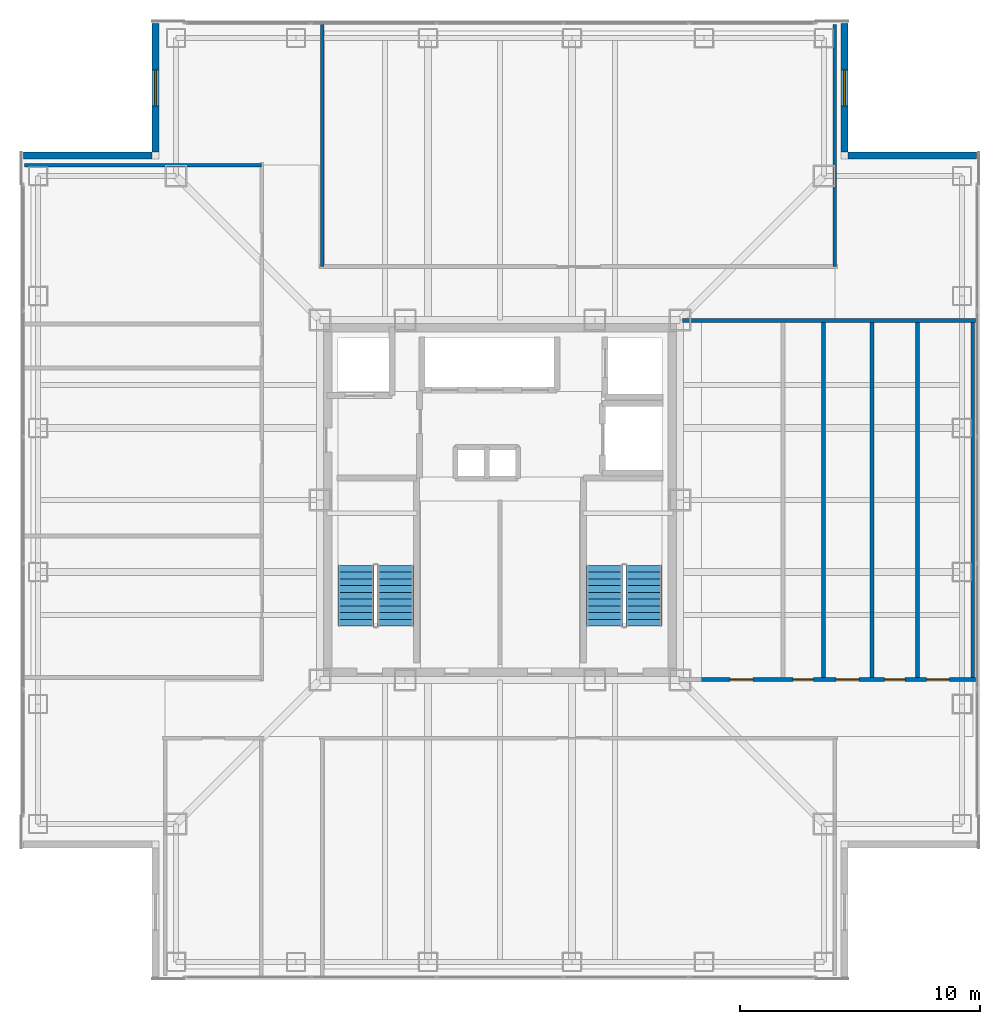
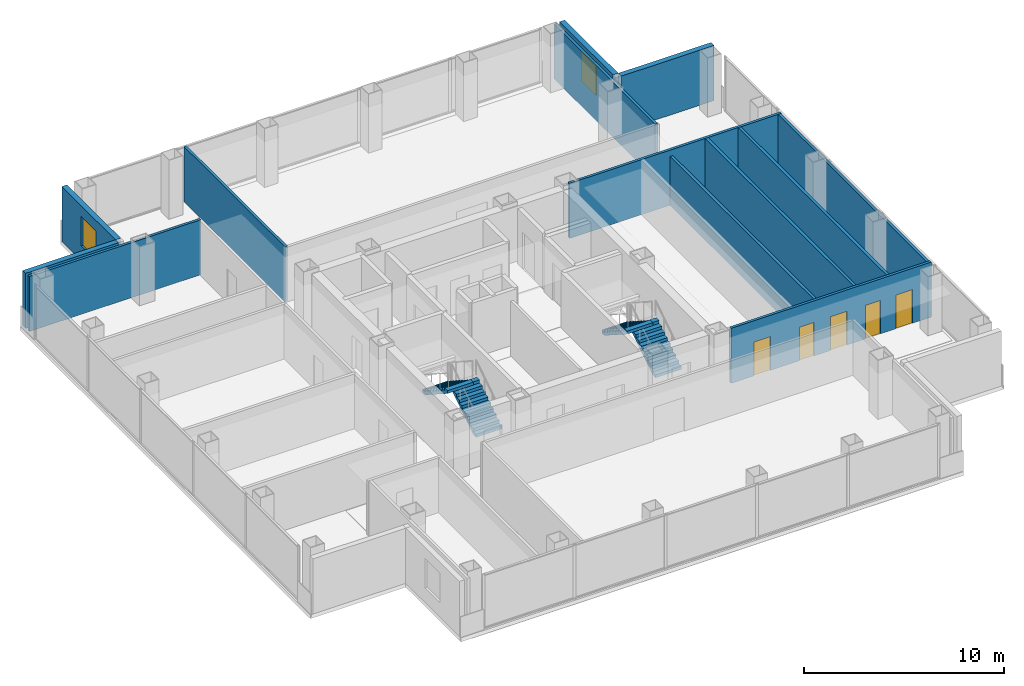
# One storey, part 11 of 17: 13 walls, 5 doors, 4 stair flights, 2 windows, 7 openings, 2 elements without a shape of their own.
"""IFC4 building model written with IfcOpenShell, lengths in metres."""

from ifc_helpers import new_model, si_unit, direction, frame, frame_2d, origin, place, context, subcontext, project, spatial, polyline, rectangle, outline, extrude, material, layer, layer_set, type_object, element, fill, aggregate, save


model = new_model("IFC4")

# Units and contexts
model_context = context("Model", 3, precision=1e-05, world=origin(), true_north=direction((0.0, 1.0)))
body_context = subcontext(model_context, "Body", "Model", "MODEL_VIEW")
ifc_project = project(units=[si_unit("LENGTHUNIT", "METRE"), si_unit("AREAUNIT", "SQUARE_METRE"), si_unit("VOLUMEUNIT", "CUBIC_METRE"), si_unit("PLANEANGLEUNIT", "RADIAN"), si_unit("MASSUNIT", "GRAM", prefix="KILO")], contexts=[model_context])

# Site, building, storey
site_placement = place(None, origin())
site = spatial("IfcSite", under=ifc_project, at=site_placement, CompositionType="ELEMENT")
building_placement = place(site_placement, origin())
building = spatial("IfcBuilding", under=site, at=building_placement, Name="Trevonay Congress Spire", CompositionType="ELEMENT")
storey_placement = place(building_placement, frame((0.0, 0.0, 209.39990234375)))
storey = spatial("IfcBuildingStorey", under=building, at=storey_placement, Name="L54", CompositionType="ELEMENT", Elevation=209.39990234375)

# Wall, openings, doors
ifc_material_1 = material(Name="Concrete C40/50", Category="concrete")
ifc_layer_1 = layer(ifc_material_1, 0.14990234375, Name="Concrete C40/50")
ifc_layer_set_1 = layer_set([ifc_layer_1], Name="Concrete C40/50")
wall_type_1 = type_object("IfcWallType", Name="WAL-CORR-150", PredefinedType="PARTITIONING", material=ifc_layer_set_1)
wall_1_placement = place(storey_placement, frame((8.280029296875, -7.47998046875, 0.0), z_axis=(0.0, 0.0, 1.0), x_axis=(1.0, 0.0, 0.0)))
wall_1 = element("IfcWall", 1, at=wall_1_placement, inside=storey, type_object=wall_type_1, Name="L54 interior wall WP-L54E-COR", PredefinedType="PARTITIONING", context=body_context, shape_type="SweptSolid", body=[
    extrude(rectangle(XDim=11.5400390625, YDim=0.14990234375, at=frame_2d((5.77001953125, 0.0))), origin(), (0.0, 0.0, 1.0), 3.360107421875),
])
opening_1_placement = place(wall_1_placement, frame((1.304931640625, 0.0, 0.0)))
opening_1 = element("IfcOpeningElement", 2, at=opening_1_placement, cuts=wall_1, Name="Opening D07", PredefinedType="OPENING", context=body_context, shape_type="SweptSolid", body=[
    extrude(rectangle(XDim=0.949951171875, YDim=2.06005859375, at=frame_2d((0.47509765625, 1.030029296875))), frame((0.0, 0.0849609375, 0.0), z_axis=(0.0, -1.0, 0.0), x_axis=(1.0, 0.0, 0.0)), (0.0, 0.0, 1.0), 0.169921875),
])
opening_2_placement = place(wall_1_placement, frame((3.929931640625, 0.0, 0.0)))
opening_2 = element("IfcOpeningElement", 3, at=opening_2_placement, cuts=wall_1, Name="Opening D10", PredefinedType="OPENING", context=body_context, shape_type="SweptSolid", body=[
    extrude(rectangle(XDim=0.85009765625, YDim=2.050048828125, at=frame_2d((0.425048828125, 1.02490234375))), frame((0.0, 0.0849609375, 0.0), z_axis=(0.0, -1.0, 0.0), x_axis=(1.0, 0.0, 0.0)), (0.0, 0.0, 1.0), 0.169921875),
])
opening_3_placement = place(wall_1_placement, frame((5.72998046875, 0.0, 0.0)))
opening_3 = element("IfcOpeningElement", 4, at=opening_3_placement, cuts=wall_1, Name="Opening D07", PredefinedType="OPENING", context=body_context, shape_type="SweptSolid", body=[
    extrude(rectangle(XDim=0.949951171875, YDim=2.06005859375, at=frame_2d((0.47509765625, 1.030029296875))), frame((0.0, 0.0849609375, 0.0), z_axis=(0.0, -1.0, 0.0), x_axis=(1.0, 0.0, 0.0)), (0.0, 0.0, 1.0), 0.169921875),
])
opening_4_placement = place(wall_1_placement, frame((7.7451171875, 0.0, 0.0)))
opening_4 = element("IfcOpeningElement", 5, at=opening_4_placement, cuts=wall_1, Name="Opening D10", PredefinedType="OPENING", context=body_context, shape_type="SweptSolid", body=[
    extrude(rectangle(XDim=0.85009765625, YDim=2.050048828125, at=frame_2d((0.425048828125, 1.02490234375))), frame((0.0, 0.0849609375, 0.0), z_axis=(0.0, -1.0, 0.0), x_axis=(1.0, 0.0, 0.0)), (0.0, 0.0, 1.0), 0.169921875),
])
opening_5_placement = place(wall_1_placement, frame((9.4951171875, 0.0, 0.0)))
opening_5 = element("IfcOpeningElement", 6, at=opening_5_placement, cuts=wall_1, Name="Opening D07", PredefinedType="OPENING", context=body_context, shape_type="SweptSolid", body=[
    extrude(rectangle(XDim=0.949951171875, YDim=2.06005859375, at=frame_2d((0.47509765625, 1.030029296875))), frame((0.0, 0.0849609375, 0.0), z_axis=(0.0, -1.0, 0.0), x_axis=(1.0, 0.0, 0.0)), (0.0, 0.0, 1.0), 0.169921875),
])
ifc_material_2 = material(Name="Pale Anodised Aluminium EN AW-6063-T6", Category="aluminium")
door_type_1 = type_object("IfcDoorType", Name="DOR-OFFICE-95", OperationType="NOTDEFINED", PredefinedType="DOOR", material=ifc_material_2)
door_1_placement = place(opening_1_placement, origin())
door_1 = element("IfcDoor", 7, at=door_1_placement, inside=storey, type_object=door_type_1, Name="L54 Juice Bar Kitchenette Door", OperationType="SINGLE_SWING_LEFT", OverallHeight=2.06005859375, OverallWidth=0.949951171875, PredefinedType="DOOR", context=body_context, shape_type="SweptSolid", body=[
    extrude(rectangle(XDim=0.949951171875, YDim=2.06005859375, at=frame_2d((0.47509765625, 1.030029296875))), frame((0.0, 0.02490234375, 0.0), z_axis=(0.0, -1.0, 0.0), x_axis=(1.0, 0.0, 0.0)), (0.0, 0.0, 1.0), 0.050048828125),
])
fill(opening_1, door_1)
door_2_placement = place(opening_3_placement, origin())
door_2 = element("IfcDoor", 8, at=door_2_placement, inside=storey, type_object=door_type_1, Name="L54 Floor Supplies and Copy Room Door", OperationType="SINGLE_SWING_LEFT", OverallHeight=2.06005859375, OverallWidth=0.949951171875, PredefinedType="DOOR", context=body_context, shape_type="SweptSolid", body=[
    extrude(rectangle(XDim=0.949951171875, YDim=2.06005859375, at=frame_2d((0.47509765625, 1.030029296875))), frame((0.0, 0.02490234375, 0.0), z_axis=(0.0, -1.0, 0.0), x_axis=(1.0, 0.0, 0.0)), (0.0, 0.0, 1.0), 0.050048828125),
])
fill(opening_3, door_2)
door_3_placement = place(opening_5_placement, origin())
door_3 = element("IfcDoor", 9, at=door_3_placement, inside=storey, type_object=door_type_1, Name="L54 Floor Supplies and Copy Room Door", OperationType="SINGLE_SWING_LEFT", OverallHeight=2.06005859375, OverallWidth=0.949951171875, PredefinedType="DOOR", context=body_context, shape_type="SweptSolid", body=[
    extrude(rectangle(XDim=0.949951171875, YDim=2.06005859375, at=frame_2d((0.47509765625, 1.030029296875))), frame((0.0, 0.02490234375, 0.0), z_axis=(0.0, -1.0, 0.0), x_axis=(1.0, 0.0, 0.0)), (0.0, 0.0, 1.0), 0.050048828125),
])
fill(opening_5, door_3)
door_type_2 = type_object("IfcDoorType", Name="DOR-WC-85", OperationType="NOTDEFINED", PredefinedType="DOOR", material=ifc_material_2)
door_4_placement = place(opening_2_placement, origin())
door_4 = element("IfcDoor", 10, at=door_4_placement, inside=storey, type_object=door_type_2, Name="L54 Female Restroom WC Door", OperationType="SINGLE_SWING_RIGHT", OverallHeight=2.050048828125, OverallWidth=0.85009765625, PredefinedType="DOOR", context=body_context, shape_type="SweptSolid", body=[
    extrude(rectangle(XDim=0.85009765625, YDim=2.050048828125, at=frame_2d((0.425048828125, 1.02490234375))), frame((0.0, 0.02490234375, 0.0), z_axis=(0.0, -1.0, 0.0), x_axis=(1.0, 0.0, 0.0)), (0.0, 0.0, 1.0), 0.050048828125),
])
fill(opening_2, door_4)
door_5_placement = place(opening_4_placement, origin())
door_5 = element("IfcDoor", 11, at=door_5_placement, inside=storey, type_object=door_type_2, Name="L54 Male Restroom WC Door", OperationType="SINGLE_SWING_RIGHT", OverallHeight=2.050048828125, OverallWidth=0.85009765625, PredefinedType="DOOR", context=body_context, shape_type="SweptSolid", body=[
    extrude(rectangle(XDim=0.85009765625, YDim=2.050048828125, at=frame_2d((0.425048828125, 1.02490234375))), frame((0.0, 0.02490234375, 0.0), z_axis=(0.0, -1.0, 0.0), x_axis=(1.0, 0.0, 0.0)), (0.0, 0.0, 1.0), 0.050048828125),
])
fill(opening_4, door_5)

# Wall, opening, window
ifc_material_3 = material(Name="Precast concrete C40/50", Category="concrete")
ifc_layer_2 = layer(ifc_material_3, 0.300048828125, Name="Precast concrete C40/50")
ifc_layer_set_2 = layer_set([ifc_layer_2], Name="Precast concrete C40/50")
wall_type_2 = type_object("IfcWallType", Name="WAL-EXT-PRECAST-300", PredefinedType="SOLIDWALL", material=ifc_layer_set_2)
wall_2_placement = place(storey_placement, frame((14.35009765625, 19.85009765625, 0.0), z_axis=(0.0, 0.0, 1.0), x_axis=(0.0, -1.0, 0.0)))
wall_2 = element("IfcWall", 12, at=wall_2_placement, inside=storey, type_object=wall_type_2, Name="L54 NE re-entrant notch exterior wall 1", PredefinedType="SOLIDWALL", context=body_context, shape_type="SweptSolid", body=[
    extrude(rectangle(XDim=5.35009765625, YDim=0.300048828125, at=frame_2d((2.675048828125, 0.0))), origin(), (0.0, 0.0, 1.0), 3.360107421875),
])
opening_6_placement = place(wall_2_placement, frame((1.925048828125, 0.0, 0.89990234375)))
opening_6 = element("IfcOpeningElement", 13, at=opening_6_placement, cuts=wall_2, Name="Opening WN03", PredefinedType="OPENING", context=body_context, shape_type="SweptSolid", body=[
    extrude(rectangle(XDim=1.5, YDim=1.800048828125, at=frame_2d((0.75, 0.89990234375))), frame((0.0, 0.16015625, 0.0), z_axis=(0.0, -1.0, 0.0), x_axis=(1.0, 0.0, 0.0)), (0.0, 0.0, 1.0), 0.320068359375),
])
ifc_material_4 = material(Name="Insulated Low-E Vision Glass IGU", Category="glass")
window_type = type_object("IfcWindowType", Name="WIN-NOTCH-150X180", PartitioningType="SINGLE_PANEL", PredefinedType="WINDOW", material=ifc_material_4)
window_1_placement = place(opening_6_placement, origin())
window_1 = element("IfcWindow", 14, at=window_1_placement, inside=storey, type_object=window_type, Name="L54 NE corner notch window", OverallHeight=1.800048828125, OverallWidth=1.5, PartitioningType="SINGLE_PANEL", PredefinedType="WINDOW", context=body_context, shape_type="SweptSolid", body=[
    extrude(rectangle(XDim=1.5, YDim=1.800048828125, at=frame_2d((0.75, 0.89990234375))), frame((0.0, 0.030029296875, 0.0), z_axis=(0.0, -1.0, 0.0), x_axis=(1.0, 0.0, 0.0)), (0.0, 0.0, 1.0), 0.06005859375),
])
fill(opening_6, window_1)

# Wall
wall_3_placement = place(storey_placement, frame((19.85009765625, 14.35009765625, 0.0), z_axis=(0.0, 0.0, 1.0), x_axis=(-1.0, 0.0, 0.0)))
element("IfcWall", 15, at=wall_3_placement, inside=storey, type_object=wall_type_2, Name="L54 NE re-entrant notch exterior wall 2", PredefinedType="SOLIDWALL", context=body_context, shape_type="SweptSolid", body=[
    extrude(rectangle(XDim=5.35009765625, YDim=0.300048828125, at=frame_2d((2.675048828125, 0.0))), origin(), (0.0, 0.0, 1.0), 3.360107421875),
])

# Wall, opening, window
wall_4_placement = place(storey_placement, frame((-14.35009765625, 19.85009765625, 0.0), z_axis=(0.0, 0.0, 1.0), x_axis=(0.0, -1.0, 0.0)))
wall_4 = element("IfcWall", 16, at=wall_4_placement, inside=storey, type_object=wall_type_2, Name="L54 NW re-entrant notch exterior wall 1", PredefinedType="SOLIDWALL", context=body_context, shape_type="SweptSolid", body=[
    extrude(rectangle(XDim=5.35009765625, YDim=0.300048828125, at=frame_2d((2.675048828125, 0.0))), origin(), (0.0, 0.0, 1.0), 3.360107421875),
])
opening_7_placement = place(wall_4_placement, frame((1.925048828125, 0.0, 0.89990234375)))
opening_7 = element("IfcOpeningElement", 17, at=opening_7_placement, cuts=wall_4, Name="Opening WN03", PredefinedType="OPENING", context=body_context, shape_type="SweptSolid", body=[
    extrude(rectangle(XDim=1.5, YDim=1.800048828125, at=frame_2d((0.75, 0.89990234375))), frame((0.0, 0.16015625, 0.0), z_axis=(0.0, -1.0, 0.0), x_axis=(1.0, 0.0, 0.0)), (0.0, 0.0, 1.0), 0.320068359375),
])
window_2_placement = place(opening_7_placement, origin())
window_2 = element("IfcWindow", 18, at=window_2_placement, inside=storey, type_object=window_type, Name="L54 NW corner notch window", OverallHeight=1.800048828125, OverallWidth=1.5, PartitioningType="SINGLE_PANEL", PredefinedType="WINDOW", context=body_context, shape_type="SweptSolid", body=[
    extrude(rectangle(XDim=1.5, YDim=1.800048828125, at=frame_2d((0.75, 0.89990234375))), frame((0.0, 0.030029296875, 0.0), z_axis=(0.0, -1.0, 0.0), x_axis=(1.0, 0.0, 0.0)), (0.0, 0.0, 1.0), 0.06005859375),
])
fill(opening_7, window_2)

# Walls
wall_5_placement = place(storey_placement, frame((-19.85009765625, 14.35009765625, 0.0), z_axis=(0.0, 0.0, 1.0), x_axis=(1.0, 0.0, 0.0)))
element("IfcWall", 19, at=wall_5_placement, inside=storey, type_object=wall_type_2, Name="L54 NW re-entrant notch exterior wall 2", PredefinedType="SOLIDWALL", context=body_context, shape_type="SweptSolid", body=[
    extrude(rectangle(XDim=5.35009765625, YDim=0.300048828125, at=frame_2d((2.675048828125, 0.0))), origin(), (0.0, 0.0, 1.0), 3.360107421875),
])
ifc_layer_3 = layer(ifc_material_1, 0.14990234375, Name="Concrete C40/50")
ifc_layer_set_3 = layer_set([ifc_layer_3], Name="Concrete C40/50")
wall_type_3 = type_object("IfcWallType", Name="WAL-PART-150", PredefinedType="PARTITIONING", material=ifc_layer_set_3)
wall_6_placement = place(storey_placement, frame((-19.820068359375, 13.949951171875, 0.0), z_axis=(0.0, 0.0, 1.0), x_axis=(1.0, 0.0, 0.0)))
element("IfcWall", 20, at=wall_6_placement, inside=storey, type_object=wall_type_3, Name="L54 interior wall WP-L54NW-DIV4", PredefinedType="PARTITIONING", context=body_context, shape_type="SweptSolid", body=[
    extrude(rectangle(XDim=9.89013671875, YDim=0.14990234375, at=frame_2d((4.945068359375, 0.0))), origin(), (0.0, 0.0, 1.0), 3.360107421875),
])
for number, where, z_axis, x_axis, name in (
    (21, (-7.39990234375, 9.72998046875, 0.0), (0.0, 0.0, 1.0), (0.0, 1.0, 0.0), "L54 interior wall WP-L54N-DIV1"),
    (22, (13.949951171875, 9.72998046875, 0.0), (0.0, 0.0, 1.0), (0.0, 1.0, 0.0), "L54 interior wall WP-L54N-DIV2"),
):
    element("IfcWall", number, at=place(storey_placement, frame(where, z_axis=z_axis, x_axis=x_axis)), inside=storey, type_object=wall_type_3, Name=name, PredefinedType="PARTITIONING", context=body_context, shape_type="SweptSolid", body=[
        extrude(rectangle(XDim=10.090087890625, YDim=0.14990234375, at=frame_2d((5.044921875, 0.0))), origin(), (0.0, 0.0, 1.0), 3.360107421875),
    ])
wall_7_placement = place(storey_placement, frame((19.699951171875, -7.47998046875, 0.0), z_axis=(0.0, 0.0, 1.0), x_axis=(0.0, 1.0, 0.0)))
element("IfcWall", 23, at=wall_7_placement, inside=storey, type_object=wall_type_3, Name="L54 interior wall WP-L54E-DIV3", PredefinedType="PARTITIONING", context=body_context, shape_type="SweptSolid", body=[
    extrude(rectangle(XDim=14.89990234375, YDim=0.14990234375, at=frame_2d((7.449951171875, 0.0))), origin(), (0.0, 0.0, 1.0), 3.360107421875),
])
wall_8_placement = place(storey_placement, frame((7.60009765625, 7.47998046875, 0.0), z_axis=(0.0, 0.0, 1.0), x_axis=(1.0, 0.0, 0.0)))
element("IfcWall", 24, at=wall_8_placement, inside=storey, type_object=wall_type_3, Name="L54 interior wall WP-L54E-NCLS", PredefinedType="PARTITIONING", context=body_context, shape_type="SweptSolid", body=[
    extrude(rectangle(XDim=12.219970703125, YDim=0.14990234375, at=frame_2d((6.10986328125, 0.0))), origin(), (0.0, 0.0, 1.0), 3.360107421875),
])
ifc_layer_4 = layer(ifc_material_1, 0.1650390625, Name="Concrete C40/50")
ifc_layer_set_4 = layer_set([ifc_layer_4], Name="Concrete C40/50")
wall_type_4 = type_object("IfcWallType", Name="WAL-WET-165", PredefinedType="PLUMBINGWALL", material=ifc_layer_set_4)
wall_9_placement = place(storey_placement, frame((13.469970703125, -7.47998046875, 0.0), z_axis=(0.0, 0.0, 1.0), x_axis=(0.0, 1.0, 0.0)))
element("IfcWall", 25, at=wall_9_placement, inside=storey, type_object=wall_type_4, Name="L54 interior wall WP-L54E-WCS2", PredefinedType="PLUMBINGWALL", context=body_context, shape_type="SweptSolid", body=[
    extrude(rectangle(XDim=14.89990234375, YDim=0.1650390625, at=frame_2d((7.449951171875, 0.0))), origin(), (0.0, 0.0, 1.0), 2.981201171875),
])
for number, where, z_axis, x_axis, name in (
    (26, (17.39990234375, -7.47998046875, 0.0), (0.0, 0.0, 1.0), (0.0, 1.0, 0.0), "L54 interior wall WP-L54E-WCS3"),
    (27, (15.5, -7.47998046875, 0.0), (0.0, 0.0, 1.0), (0.0, 1.0, 0.0), "L54 interior wall WP-L54E-DIV2"),
):
    element("IfcWall", number, at=place(storey_placement, frame(where, z_axis=z_axis, x_axis=x_axis)), inside=storey, type_object=wall_type_4, Name=name, PredefinedType="PLUMBINGWALL", context=body_context, shape_type="SweptSolid", body=[
        extrude(rectangle(XDim=14.89990234375, YDim=0.1650390625, at=frame_2d((7.449951171875, 0.0))), origin(), (0.0, 0.0, 1.0), 3.360107421875),
    ])

# Stair, stair flights
stair_type_1 = type_object("IfcStairType", Name="STR-ST-1", PredefinedType="HALF_TURN_STAIR", material=ifc_material_1)
stair_1_placement = place(storey_placement, origin())
stair_1 = element("IfcStair", 28, at=stair_1_placement, inside=storey, type_object=stair_type_1, Name="L54 Protected Exit Stair ST-1", PredefinedType="HALF_TURN_STAIR")
stair_flight_type_1 = type_object("IfcStairFlightType", Name="SFL-ST-1", PredefinedType="STRAIGHT", material=ifc_material_1)
stair_flight_1_placement = place(storey_placement, frame((-4.35009765625, -5.25, 0.0), z_axis=(0.0, 0.0, 1.0), x_axis=(0.0, 1.0, 0.0)))
stair_flight_1 = element("IfcStairFlight", 29, at=stair_flight_1_placement, type_object=stair_flight_type_1, Name="ST-1 flight 1", NumberOfRisers=10, NumberOfTreads=9, PredefinedType="STRAIGHT", RiserHeight=0.18, TreadLength=0.28, context=body_context, shape_type="SweptSolid", body=[
    extrude(outline(polyline([(0.0, 0.0), (0.0, 0.179931640625), (0.280029296875, 0.179931640625), (0.280029296875, 0.360107421875), (0.56005859375, 0.360107421875), (0.56005859375, 0.5400390625), (0.840087890625, 0.5400390625), (0.840087890625, 0.719970703125), (1.1201171875, 0.719970703125), (1.1201171875, 0.89990234375), (1.39990234375, 0.89990234375), (1.39990234375, 1.080078125), (1.679931640625, 1.080078125), (1.679931640625, 1.260009765625), (1.9599609375, 1.260009765625), (1.9599609375, 1.43994140625), (2.239990234375, 1.43994140625), (2.239990234375, 1.6201171875), (2.52001953125, 1.6201171875), (2.52001953125, 1.800048828125), (2.52001953125, 1.44189453125), (0.277099609375, 0.0), (0.0, 0.0)])), frame((0.0, 0.75, 0.0), z_axis=(0.0, -1.0, 0.0), x_axis=(1.0, 0.0, 0.0)), (0.0, 0.0, 1.0), 1.5),
])
stair_flight_2_placement = place(storey_placement, frame((-6.0, -2.72998046875, 1.800048828125), z_axis=(0.0, 0.0, 1.0), x_axis=(0.0, -1.0, 0.0)))
stair_flight_2 = element("IfcStairFlight", 30, at=stair_flight_2_placement, type_object=stair_flight_type_1, Name="ST-1 flight 2", NumberOfRisers=10, NumberOfTreads=9, PredefinedType="STRAIGHT", RiserHeight=0.18, TreadLength=0.28, context=body_context, shape_type="SweptSolid", body=[
    extrude(outline(polyline([(0.0, 0.0), (0.0, 0.179931640625), (0.280029296875, 0.179931640625), (0.280029296875, 0.360107421875), (0.56005859375, 0.360107421875), (0.56005859375, 0.5400390625), (0.840087890625, 0.5400390625), (0.840087890625, 0.719970703125), (1.1201171875, 0.719970703125), (1.1201171875, 0.89990234375), (1.39990234375, 0.89990234375), (1.39990234375, 1.080078125), (1.679931640625, 1.080078125), (1.679931640625, 1.260009765625), (1.9599609375, 1.260009765625), (1.9599609375, 1.43994140625), (2.239990234375, 1.43994140625), (2.239990234375, 1.6201171875), (2.52001953125, 1.6201171875), (2.52001953125, 1.800048828125), (2.52001953125, 1.44189453125), (0.277099609375, 0.0), (0.0, 0.0)])), frame((0.0, 0.75, 0.0), z_axis=(0.0, -1.0, 0.0), x_axis=(1.0, 0.0, 0.0)), (0.0, 0.0, 1.0), 1.5),
])
aggregate(stair_1, [stair_flight_1, stair_flight_2])

stair_type_2 = type_object("IfcStairType", Name="STR-ST-2", PredefinedType="HALF_TURN_STAIR", material=ifc_material_1)
stair_2_placement = place(storey_placement, origin())
stair_2 = element("IfcStair", 31, at=stair_2_placement, inside=storey, type_object=stair_type_2, Name="L54 Protected Exit Stair ST-2", PredefinedType="HALF_TURN_STAIR")
stair_flight_type_2 = type_object("IfcStairFlightType", Name="SFL-ST-2", PredefinedType="STRAIGHT", material=ifc_material_1)
stair_flight_3_placement = place(storey_placement, frame((6.0, -5.25, 0.0), z_axis=(0.0, 0.0, 1.0), x_axis=(0.0, 1.0, 0.0)))
stair_flight_3 = element("IfcStairFlight", 32, at=stair_flight_3_placement, type_object=stair_flight_type_2, Name="ST-2 flight 1", NumberOfRisers=10, NumberOfTreads=9, PredefinedType="STRAIGHT", RiserHeight=0.18, TreadLength=0.28, context=body_context, shape_type="SweptSolid", body=[
    extrude(outline(polyline([(0.0, 0.0), (0.0, 0.179931640625), (0.280029296875, 0.179931640625), (0.280029296875, 0.360107421875), (0.56005859375, 0.360107421875), (0.56005859375, 0.5400390625), (0.840087890625, 0.5400390625), (0.840087890625, 0.719970703125), (1.1201171875, 0.719970703125), (1.1201171875, 0.89990234375), (1.39990234375, 0.89990234375), (1.39990234375, 1.080078125), (1.679931640625, 1.080078125), (1.679931640625, 1.260009765625), (1.9599609375, 1.260009765625), (1.9599609375, 1.43994140625), (2.239990234375, 1.43994140625), (2.239990234375, 1.6201171875), (2.52001953125, 1.6201171875), (2.52001953125, 1.800048828125), (2.52001953125, 1.44189453125), (0.277099609375, 0.0), (0.0, 0.0)])), frame((0.0, 0.75, 0.0), z_axis=(0.0, -1.0, 0.0), x_axis=(1.0, 0.0, 0.0)), (0.0, 0.0, 1.0), 1.5),
])
stair_flight_4_placement = place(storey_placement, frame((4.35009765625, -2.72998046875, 1.800048828125), z_axis=(0.0, 0.0, 1.0), x_axis=(0.0, -1.0, 0.0)))
stair_flight_4 = element("IfcStairFlight", 33, at=stair_flight_4_placement, type_object=stair_flight_type_2, Name="ST-2 flight 2", NumberOfRisers=10, NumberOfTreads=9, PredefinedType="STRAIGHT", RiserHeight=0.18, TreadLength=0.28, context=body_context, shape_type="SweptSolid", body=[
    extrude(outline(polyline([(0.0, 0.0), (0.0, 0.179931640625), (0.280029296875, 0.179931640625), (0.280029296875, 0.360107421875), (0.56005859375, 0.360107421875), (0.56005859375, 0.5400390625), (0.840087890625, 0.5400390625), (0.840087890625, 0.719970703125), (1.1201171875, 0.719970703125), (1.1201171875, 0.89990234375), (1.39990234375, 0.89990234375), (1.39990234375, 1.080078125), (1.679931640625, 1.080078125), (1.679931640625, 1.260009765625), (1.9599609375, 1.260009765625), (1.9599609375, 1.43994140625), (2.239990234375, 1.43994140625), (2.239990234375, 1.6201171875), (2.52001953125, 1.6201171875), (2.52001953125, 1.800048828125), (2.52001953125, 1.44189453125), (0.277099609375, 0.0), (0.0, 0.0)])), frame((0.0, 0.75, 0.0), z_axis=(0.0, -1.0, 0.0), x_axis=(1.0, 0.0, 0.0)), (0.0, 0.0, 1.0), 1.5),
])
aggregate(stair_2, [stair_flight_3, stair_flight_4])

save(model, "model.ifc")
